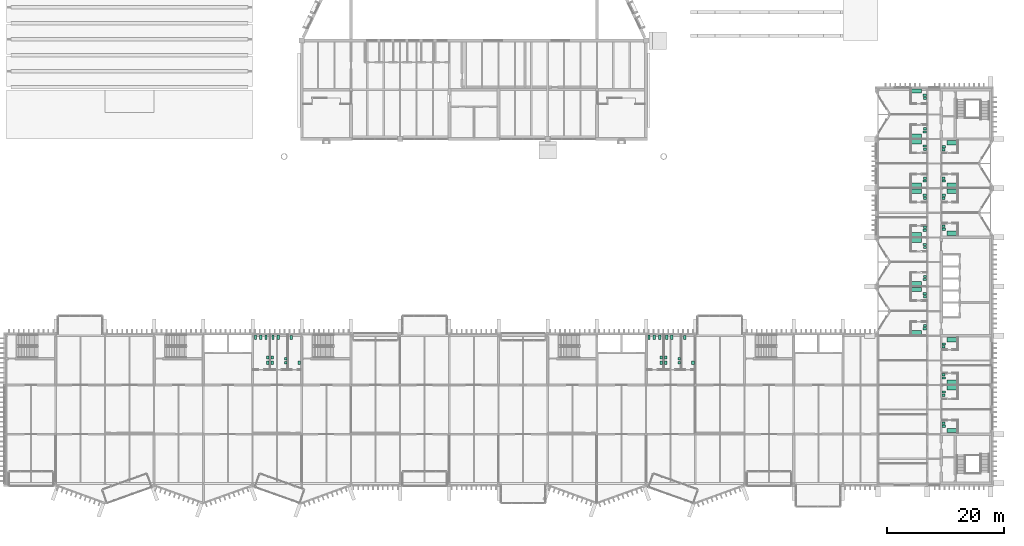
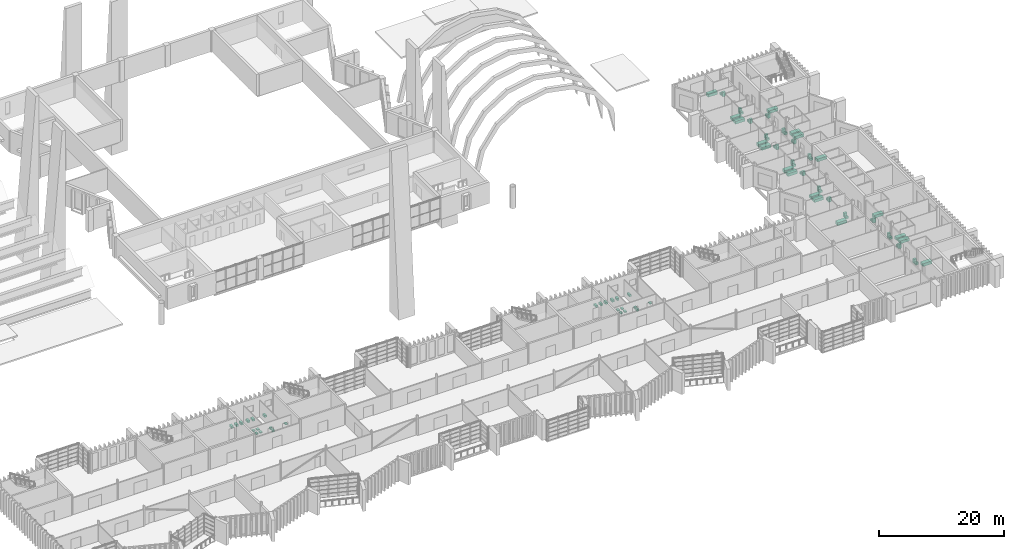
# One storey, part 88 of 88: 80 sanitary terminals.
"""IFC4 building model written with IfcOpenShell, lengths in metres."""

from ifc_helpers import new_model, si_unit, direction, frame, origin, origin_2d, place, context, subcontext, project, spatial, rectangle, extrude, material, type_object, element, save


model = new_model("IFC4")

# Units and contexts
model_context = context("Model", 3, precision=1e-05, world=origin(), true_north=direction((0.0, 1.0)))
body_context = subcontext(model_context, "Body", "Model", "MODEL_VIEW")
ifc_project = project(units=[si_unit("LENGTHUNIT", "METRE"), si_unit("AREAUNIT", "SQUARE_METRE"), si_unit("VOLUMEUNIT", "CUBIC_METRE"), si_unit("PLANEANGLEUNIT", "RADIAN"), si_unit("MASSUNIT", "GRAM", prefix="KILO")], contexts=[model_context])

# Site, building, storey
site_placement = place(None, origin())
site = spatial("IfcSite", under=ifc_project, at=site_placement, CompositionType="ELEMENT")
building_placement = place(site_placement, origin())
building = spatial("IfcBuilding", under=site, at=building_placement, Name="Cresset Court Congress Hotel", CompositionType="ELEMENT")
storey_placement = place(building_placement, frame((0.0, 0.0, 14.39990234375)))
storey = spatial("IfcBuildingStorey", under=building, at=storey_placement, Name="L03", CompositionType="ELEMENT", Elevation=14.39990234375)

# Sanitary terminals
ifc_material_1 = material(Name="Acrylic")
sanitary_terminal_type_1 = type_object("IfcSanitaryTerminalType", Name="Bath 1700x750", PredefinedType="BATH", material=ifc_material_1)
for number, where, z_axis, x_axis, name in (
    (1, (163.75, 25.699951171875, 0.0), (0.0, 0.0, 1.0), (1.0, 0.0, 0.0), "Bath 1700x750 0307"),
    (2, (163.75, 33.10009765625, 0.0), (0.0, 0.0, 1.0), (1.0, 0.0, 0.0), "Bath 1700x750 0308"),
    (3, (163.75, 34.10009765625, 0.0), (0.0, 0.0, 1.0), (1.0, 0.0, 0.0), "Bath 1700x750 0309"),
    (4, (163.75, 41.5, 0.0), (0.0, 0.0, 1.0), (1.0, 0.0, 0.0), "Bath 1700x750 0310"),
    (5, (163.75, 42.5, 0.0), (0.0, 0.0, 1.0), (1.0, 0.0, 0.0), "Bath 1700x750 0311"),
    (6, (163.75, 49.89990234375, 0.0), (0.0, 0.0, 1.0), (1.0, 0.0, 0.0), "Bath 1700x750 0312"),
    (7, (163.75, 50.89990234375, 0.0), (0.0, 0.0, 1.0), (1.0, 0.0, 0.0), "Bath 1700x750 0313"),
    (8, (163.75, 58.300048828125, 0.0), (0.0, 0.0, 1.0), (1.0, 0.0, 0.0), "Bath 1700x750 0314"),
    (9, (163.75, 59.300048828125, 0.0), (0.0, 0.0, 1.0), (1.0, 0.0, 0.0), "Bath 1700x750 0315"),
    (10, (163.75, 66.9951171875, 0.0), (0.0, 0.0, 1.0), (1.0, 0.0, 0.0), "Bath 1700x750 0316"),
    (11, (169.85009765625, 9.02490234375, 0.0), (0.0, 0.0, 1.0), (1.0, 0.0, 0.0), "Bath 1700x750 0317"),
    (12, (169.85009765625, 16.300048828125, 0.0), (0.0, 0.0, 1.0), (1.0, 0.0, 0.0), "Bath 1700x750 0318"),
    (13, (169.85009765625, 17.300048828125, 0.0), (0.0, 0.0, 1.0), (1.0, 0.0, 0.0), "Bath 1700x750 0319"),
    (14, (169.85009765625, 24.52490234375, 0.0), (0.0, 0.0, 1.0), (1.0, 0.0, 0.0), "Bath 1700x750 0320"),
    (15, (169.85009765625, 42.675048828125, 0.0), (0.0, 0.0, 1.0), (1.0, 0.0, 0.0), "Bath 1700x750 0321"),
    (16, (169.85009765625, 49.89990234375, 0.0), (0.0, 0.0, 1.0), (1.0, 0.0, 0.0), "Bath 1700x750 0322"),
    (17, (169.85009765625, 50.89990234375, 0.0), (0.0, 0.0, 1.0), (1.0, 0.0, 0.0), "Bath 1700x750 0323"),
    (18, (169.85009765625, 58.175048828125, 0.0), (0.0, 0.0, 1.0), (1.0, 0.0, 0.0), "Bath 1700x750 0324"),
):
    element("IfcSanitaryTerminal", number, at=place(storey_placement, frame(where, z_axis=z_axis, x_axis=x_axis)), inside=storey, type_object=sanitary_terminal_type_1, Name=name, PredefinedType="BATH", context=body_context, shape_type="SweptSolid", body=[
        extrude(rectangle(XDim=1.699951171875, YDim=0.75, at=origin_2d()), origin(), (0.0, 0.0, 1.0), 0.550048828125),
    ])
ifc_material_2 = material(Name="Vitreous china")
sanitary_terminal_type_2 = type_object("IfcSanitaryTerminalType", Name="Toilet pan", PredefinedType="TOILETPAN", material=ifc_material_2)
for number, where, z_axis, x_axis, name in (
    (19, (50.89990234375, 24.949951171875, 0.2001953125), (0.0, 0.0, 1.0), (1.0, 0.0, 0.0), "Women's WC fitting 53"),
    (20, (51.800048828125, 24.949951171875, 0.2001953125), (0.0, 0.0, 1.0), (1.0, 0.0, 0.0), "Women's WC fitting 54"),
    (21, (52.699951171875, 24.949951171875, 0.2001953125), (0.0, 0.0, 1.0), (1.0, 0.0, 0.0), "Women's WC fitting 55"),
    (22, (53.89990234375, 24.949951171875, 0.2001953125), (0.0, 0.0, 1.0), (1.0, 0.0, 0.0), "Men's WC fitting 58"),
    (23, (54.800048828125, 24.949951171875, 0.2001953125), (0.0, 0.0, 1.0), (1.0, 0.0, 0.0), "Men's WC fitting 59"),
    (24, (57.0, 24.89990234375, 0.2001953125), (0.0, 0.0, 1.0), (1.0, 0.0, 0.0), "Accessible WC fitting 64"),
    (25, (118.10009765625, 24.949951171875, 0.2001953125), (0.0, 0.0, 1.0), (1.0, 0.0, 0.0), "Women's WC fitting 66"),
    (26, (119.0, 24.949951171875, 0.2001953125), (0.0, 0.0, 1.0), (1.0, 0.0, 0.0), "Women's WC fitting 67"),
    (27, (119.89990234375, 24.949951171875, 0.2001953125), (0.0, 0.0, 1.0), (1.0, 0.0, 0.0), "Women's WC fitting 68"),
    (28, (121.10009765625, 24.949951171875, 0.2001953125), (0.0, 0.0, 1.0), (1.0, 0.0, 0.0), "Men's WC fitting 71"),
    (29, (122.0, 24.949951171875, 0.2001953125), (0.0, 0.0, 1.0), (1.0, 0.0, 0.0), "Men's WC fitting 72"),
    (30, (124.199951171875, 24.89990234375, 0.2001953125), (0.0, 0.0, 1.0), (1.0, 0.0, 0.0), "Accessible WC fitting 77"),
):
    element("IfcSanitaryTerminal", number, at=place(storey_placement, frame(where, z_axis=z_axis, x_axis=x_axis)), inside=storey, type_object=sanitary_terminal_type_2, Name=name, PredefinedType="TOILETPAN", context=body_context, shape_type="SweptSolid", body=[
        extrude(rectangle(XDim=0.39990234375, YDim=0.699951171875, at=origin_2d()), origin(), (0.0, 0.0, 1.0), 0.39990234375),
    ])
ifc_material_3 = material(Name="Vitreous china")
sanitary_terminal_type_3 = type_object("IfcSanitaryTerminalType", Name="Toilet pan 550x380", PredefinedType="TOILETPAN", material=ifc_material_3)
for number, where, z_axis, x_axis, name in (
    (31, (165.175048828125, 26.4150390625, 0.000244140625), (0.0, 0.0, 1.0), (1.0, 0.0, 0.0), "Toilet pan 550x380 0307"),
    (32, (165.175048828125, 32.385009765625, 0.000244140625), (0.0, 0.0, 1.0), (1.0, 0.0, 0.0), "Toilet pan 550x380 0308"),
    (33, (165.175048828125, 34.81494140625, 0.000244140625), (0.0, 0.0, 1.0), (1.0, 0.0, 0.0), "Toilet pan 550x380 0309"),
    (34, (165.175048828125, 40.784912109375, 0.000244140625), (0.0, 0.0, 1.0), (1.0, 0.0, 0.0), "Toilet pan 550x380 0310"),
    (35, (165.175048828125, 43.215087890625, 0.000244140625), (0.0, 0.0, 1.0), (1.0, 0.0, 0.0), "Toilet pan 550x380 0311"),
    (36, (165.175048828125, 49.18505859375, 0.000244140625), (0.0, 0.0, 1.0), (1.0, 0.0, 0.0), "Toilet pan 550x380 0312"),
    (37, (165.175048828125, 51.614990234375, 0.000244140625), (0.0, 0.0, 1.0), (1.0, 0.0, 0.0), "Toilet pan 550x380 0313"),
    (38, (165.175048828125, 57.5849609375, 0.000244140625), (0.0, 0.0, 1.0), (1.0, 0.0, 0.0), "Toilet pan 550x380 0314"),
    (39, (165.175048828125, 60.014892578125, 0.000244140625), (0.0, 0.0, 1.0), (1.0, 0.0, 0.0), "Toilet pan 550x380 0315"),
    (40, (165.175048828125, 66.280029296875, 0.000244140625), (0.0, 0.0, 1.0), (1.0, 0.0, 0.0), "Toilet pan 550x380 0316"),
    (41, (168.425048828125, 9.739990234375, 0.000244140625), (0.0, 0.0, 1.0), (1.0, 0.0, 0.0), "Toilet pan 550x380 0317"),
    (42, (168.425048828125, 15.5849609375, 0.000244140625), (0.0, 0.0, 1.0), (1.0, 0.0, 0.0), "Toilet pan 550x380 0318"),
    (43, (168.425048828125, 18.014892578125, 0.000244140625), (0.0, 0.0, 1.0), (1.0, 0.0, 0.0), "Toilet pan 550x380 0319"),
    (44, (168.425048828125, 23.81005859375, 0.000244140625), (0.0, 0.0, 1.0), (1.0, 0.0, 0.0), "Toilet pan 550x380 0320"),
    (45, (168.425048828125, 43.389892578125, 0.000244140625), (0.0, 0.0, 1.0), (1.0, 0.0, 0.0), "Toilet pan 550x380 0321"),
    (46, (168.425048828125, 49.18505859375, 0.000244140625), (0.0, 0.0, 1.0), (1.0, 0.0, 0.0), "Toilet pan 550x380 0322"),
    (47, (168.425048828125, 51.614990234375, 0.000244140625), (0.0, 0.0, 1.0), (1.0, 0.0, 0.0), "Toilet pan 550x380 0323"),
    (48, (168.425048828125, 57.4599609375, 0.000244140625), (0.0, 0.0, 1.0), (1.0, 0.0, 0.0), "Toilet pan 550x380 0324"),
):
    element("IfcSanitaryTerminal", number, at=place(storey_placement, frame(where, z_axis=z_axis, x_axis=x_axis)), inside=storey, type_object=sanitary_terminal_type_3, Name=name, PredefinedType="TOILETPAN", context=body_context, shape_type="SweptSolid", body=[
        extrude(rectangle(XDim=0.550048828125, YDim=0.3798828125, at=origin_2d()), origin(), (0.0, 0.0, 1.0), 0.39990234375),
    ])
ifc_material_4 = material(Name="Vitreous china")
sanitary_terminal_type_4 = type_object("IfcSanitaryTerminalType", Name="Urinal", PredefinedType="URINAL", material=ifc_material_4)
for number, where, z_axis, x_axis, name in (
    (49, (56.050048828125, 20.60009765625, 0.2001953125), (0.0, 0.0, 1.0), (1.0, 0.0, 0.0), "Men's WC fitting 60"),
    (50, (56.050048828125, 21.300048828125, 0.2001953125), (0.0, 0.0, 1.0), (1.0, 0.0, 0.0), "Men's WC fitting 61"),
    (51, (123.25, 20.60009765625, 0.2001953125), (0.0, 0.0, 1.0), (1.0, 0.0, 0.0), "Men's WC fitting 73"),
    (52, (123.25, 21.300048828125, 0.2001953125), (0.0, 0.0, 1.0), (1.0, 0.0, 0.0), "Men's WC fitting 74"),
):
    element("IfcSanitaryTerminal", number, at=place(storey_placement, frame(where, z_axis=z_axis, x_axis=x_axis)), inside=storey, type_object=sanitary_terminal_type_4, Name=name, PredefinedType="URINAL", context=body_context, shape_type="SweptSolid", body=[
        extrude(rectangle(XDim=0.39990234375, YDim=0.39990234375, at=origin_2d()), origin(), (0.0, 0.0, 1.0), 0.39990234375),
    ])
ifc_material_5 = material(Name="Vitreous china")
sanitary_terminal_type_5 = type_object("IfcSanitaryTerminalType", Name="Wash basin", PredefinedType="WASHHANDBASIN", material=ifc_material_5)
for number, where, z_axis, x_axis, name in (
    (53, (53.0, 20.60009765625, 0.80029296875), (0.0, 0.0, 1.0), (1.0, 0.0, 0.0), "Women's WC fitting 56"),
    (54, (53.0, 21.5, 0.80029296875), (0.0, 0.0, 1.0), (1.0, 0.0, 0.0), "Women's WC fitting 57"),
    (55, (53.75, 20.60009765625, 0.80029296875), (0.0, 0.0, 1.0), (1.0, 0.0, 0.0), "Men's WC fitting 62"),
    (56, (53.75, 21.5, 0.80029296875), (0.0, 0.0, 1.0), (1.0, 0.0, 0.0), "Men's WC fitting 63"),
    (57, (58.39990234375, 20.60009765625, 0.80029296875), (0.0, 0.0, 1.0), (1.0, 0.0, 0.0), "Accessible WC fitting 65"),
    (58, (120.199951171875, 20.60009765625, 0.80029296875), (0.0, 0.0, 1.0), (1.0, 0.0, 0.0), "Women's WC fitting 69"),
    (59, (120.199951171875, 21.5, 0.80029296875), (0.0, 0.0, 1.0), (1.0, 0.0, 0.0), "Women's WC fitting 70"),
    (60, (120.949951171875, 20.60009765625, 0.80029296875), (0.0, 0.0, 1.0), (1.0, 0.0, 0.0), "Men's WC fitting 75"),
    (61, (120.949951171875, 21.5, 0.80029296875), (0.0, 0.0, 1.0), (1.0, 0.0, 0.0), "Men's WC fitting 76"),
    (62, (125.60009765625, 20.60009765625, 0.80029296875), (0.0, 0.0, 1.0), (1.0, 0.0, 0.0), "Accessible WC fitting 78"),
):
    element("IfcSanitaryTerminal", number, at=place(storey_placement, frame(where, z_axis=z_axis, x_axis=x_axis)), inside=storey, type_object=sanitary_terminal_type_5, Name=name, PredefinedType="WASHHANDBASIN", context=body_context, shape_type="SweptSolid", body=[
        extrude(rectangle(XDim=0.449951171875, YDim=0.550048828125, at=origin_2d()), origin(), (0.0, 0.0, 1.0), 0.199951171875),
    ])
ifc_material_6 = material(Name="Vitreous china")
sanitary_terminal_type_6 = type_object("IfcSanitaryTerminalType", Name="Wash basin 500x400", PredefinedType="WASHHANDBASIN", material=ifc_material_6)
for number, where, z_axis, x_axis, name in (
    (63, (165.199951171875, 26.925048828125, 0.0), (0.0, 0.0, 1.0), (1.0, 0.0, 0.0), "Wash basin 500x400 0307"),
    (64, (165.199951171875, 31.875, 0.0), (0.0, 0.0, 1.0), (1.0, 0.0, 0.0), "Wash basin 500x400 0308"),
    (65, (165.199951171875, 35.324951171875, 0.0), (0.0, 0.0, 1.0), (1.0, 0.0, 0.0), "Wash basin 500x400 0309"),
    (66, (165.199951171875, 40.27490234375, 0.0), (0.0, 0.0, 1.0), (1.0, 0.0, 0.0), "Wash basin 500x400 0310"),
    (67, (165.199951171875, 43.72509765625, 0.0), (0.0, 0.0, 1.0), (1.0, 0.0, 0.0), "Wash basin 500x400 0311"),
    (68, (165.199951171875, 48.675048828125, 0.0), (0.0, 0.0, 1.0), (1.0, 0.0, 0.0), "Wash basin 500x400 0312"),
    (69, (165.199951171875, 52.125, 0.0), (0.0, 0.0, 1.0), (1.0, 0.0, 0.0), "Wash basin 500x400 0313"),
    (70, (165.199951171875, 57.074951171875, 0.0), (0.0, 0.0, 1.0), (1.0, 0.0, 0.0), "Wash basin 500x400 0314"),
    (71, (165.199951171875, 60.52490234375, 0.0), (0.0, 0.0, 1.0), (1.0, 0.0, 0.0), "Wash basin 500x400 0315"),
    (72, (165.199951171875, 65.77001953125, 0.0), (0.0, 0.0, 1.0), (1.0, 0.0, 0.0), "Wash basin 500x400 0316"),
    (73, (168.39990234375, 10.25, 0.0), (0.0, 0.0, 1.0), (1.0, 0.0, 0.0), "Wash basin 500x400 0317"),
    (74, (168.39990234375, 15.074951171875, 0.0), (0.0, 0.0, 1.0), (1.0, 0.0, 0.0), "Wash basin 500x400 0318"),
    (75, (168.39990234375, 18.52490234375, 0.0), (0.0, 0.0, 1.0), (1.0, 0.0, 0.0), "Wash basin 500x400 0319"),
    (76, (168.39990234375, 23.300048828125, 0.0), (0.0, 0.0, 1.0), (1.0, 0.0, 0.0), "Wash basin 500x400 0320"),
    (77, (168.39990234375, 43.89990234375, 0.0), (0.0, 0.0, 1.0), (1.0, 0.0, 0.0), "Wash basin 500x400 0321"),
    (78, (168.39990234375, 48.675048828125, 0.0), (0.0, 0.0, 1.0), (1.0, 0.0, 0.0), "Wash basin 500x400 0322"),
    (79, (168.39990234375, 52.125, 0.0), (0.0, 0.0, 1.0), (1.0, 0.0, 0.0), "Wash basin 500x400 0323"),
    (80, (168.39990234375, 56.949951171875, 0.0), (0.0, 0.0, 1.0), (1.0, 0.0, 0.0), "Wash basin 500x400 0324"),
):
    element("IfcSanitaryTerminal", number, at=place(storey_placement, frame(where, z_axis=z_axis, x_axis=x_axis)), inside=storey, type_object=sanitary_terminal_type_6, Name=name, PredefinedType="WASHHANDBASIN", context=body_context, shape_type="SweptSolid", body=[
        extrude(rectangle(XDim=0.5, YDim=0.39990234375, at=origin_2d()), origin(), (0.0, 0.0, 1.0), 0.85009765625),
    ])

save(model, "model.ifc")
